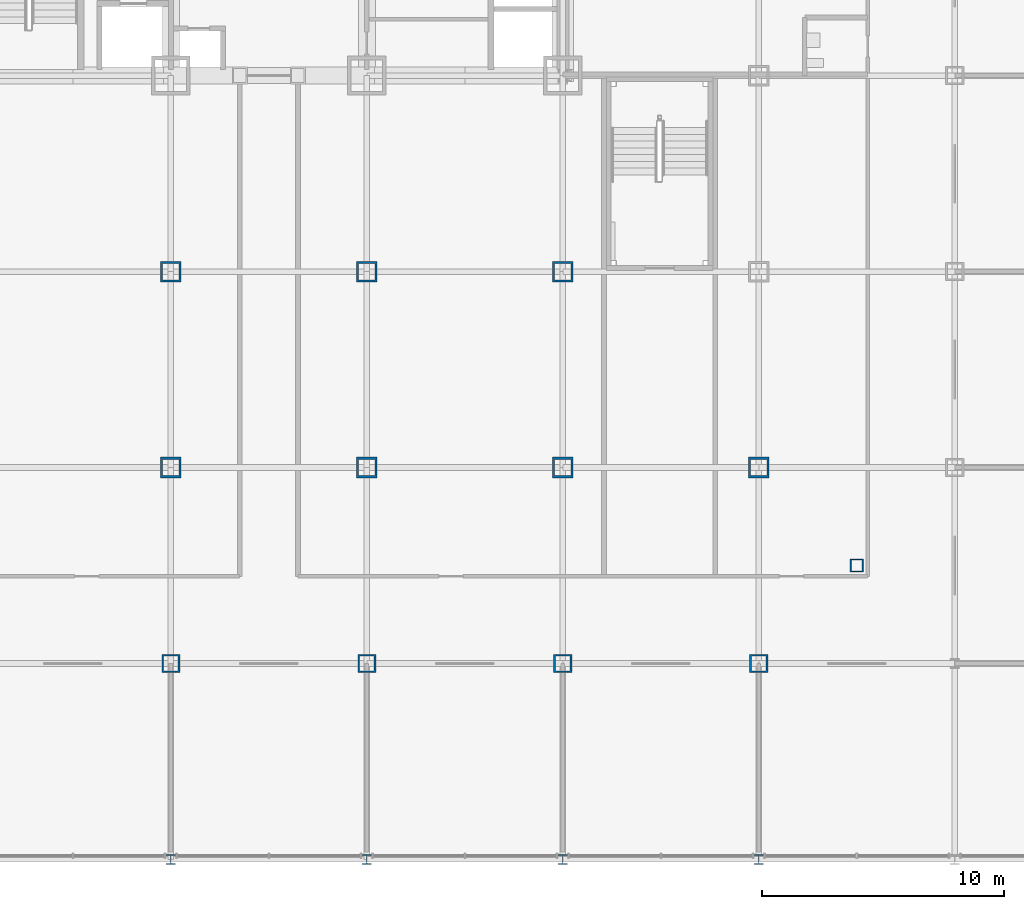
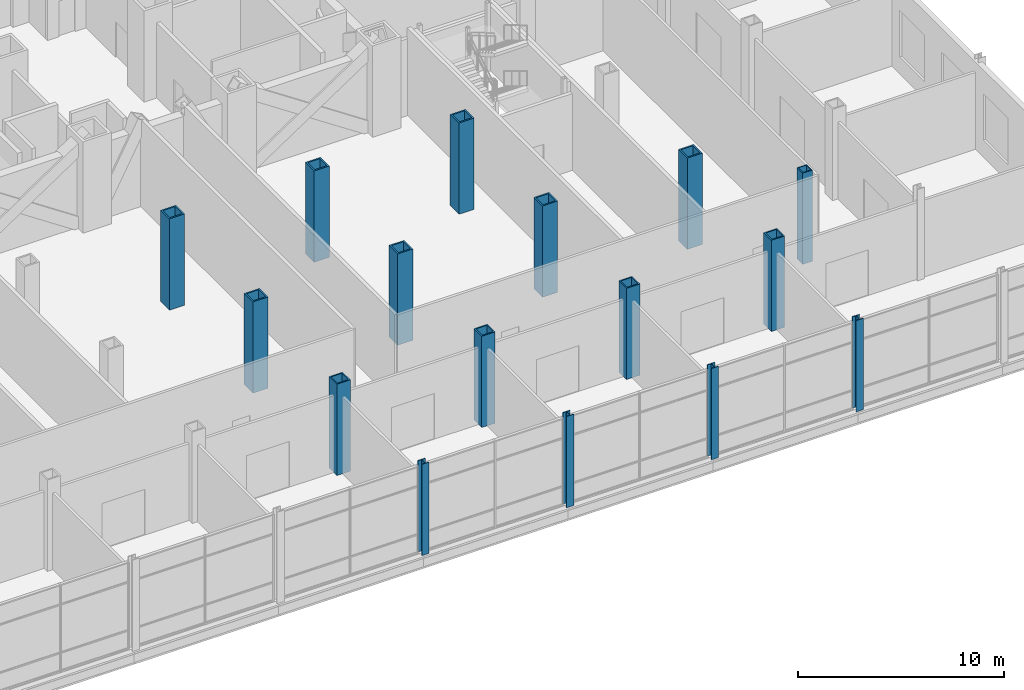
# One storey, part 3 of 30: 16 columns.
"""IFC4 building model written with IfcOpenShell, lengths in metres."""

from ifc_helpers import new_model, si_unit, direction, frame, origin, origin_2d, place, context, subcontext, project, spatial, hollow_rectangle, i_section, extrude, material, material_profile, profile_set, type_object, element, save


model = new_model("IFC4")

# Units and contexts
model_context = context("Model", 3, precision=1e-05, world=origin(), true_north=direction((0.0, 1.0)))
body_context = subcontext(model_context, "Body", "Model", "MODEL_VIEW")
ifc_project = project(units=[si_unit("LENGTHUNIT", "METRE"), si_unit("AREAUNIT", "SQUARE_METRE"), si_unit("VOLUMEUNIT", "CUBIC_METRE"), si_unit("PLANEANGLEUNIT", "RADIAN"), si_unit("MASSUNIT", "GRAM", prefix="KILO")], contexts=[model_context])

# Site, building, storey
site_placement = place(None, origin())
site = spatial("IfcSite", under=ifc_project, at=site_placement, CompositionType="ELEMENT")
building_placement = place(site_placement, origin())
building = spatial("IfcBuilding", under=site, at=building_placement, Name="Kopane Lantern Tower", CompositionType="ELEMENT")
storey_placement = place(building_placement, frame((0.0, 0.0, 6.0)))
storey = spatial("IfcBuildingStorey", under=building, at=storey_placement, Name="L01", CompositionType="ELEMENT", Elevation=6.0)

# Columns
ifc_material_1 = material(Name="Steel S355JR", Category="steel")
ifc_material_profile_1 = material_profile(ifc_material_1, hollow_rectangle(XDim=0.550048828125, YDim=0.550048828125, WallThickness=0.050048828125, at=origin_2d()), Name="BOX 550x550x50")
ifc_profile_set_1 = profile_set([ifc_material_profile_1], Name="Steel S355JR")
column_type_1 = type_object("IfcColumnType", Name="COLUMN BOX 550x550x50", PredefinedType="COLUMN", material=ifc_profile_set_1)
column_placement = place(storey_placement, frame((52.64990234375, 4.050048828125, 0.0), z_axis=(0.0, 0.0, 1.0), x_axis=(1.0, 0.0, 0.0)))
element("IfcColumn", 1, at=column_placement, inside=storey, type_object=column_type_1, Name="Column 52.65/4.05 L01", PredefinedType="COLUMN", context=body_context, shape_type="SweptSolid", body=[
    extrude(hollow_rectangle(XDim=0.550048828125, YDim=0.550048828125, WallThickness=0.050048828125, at=origin_2d()), origin(), (0.0, 0.0, 1.0), 5.39990234375),
])
ifc_material_2 = material(Name="Steel S355JR", Category="steel")
ifc_material_profile_2 = material_profile(ifc_material_2, hollow_rectangle(XDim=0.75, YDim=0.75, WallThickness=0.070068359375, at=origin_2d()), Name="BOX 750x750x70")
ifc_profile_set_2 = profile_set([ifc_material_profile_2], Name="Steel S355JR")
column_type_2 = type_object("IfcColumnType", Name="COLUMN BOX 750x750x70", PredefinedType="COLUMN", material=ifc_profile_set_2)
for number, where, z_axis, x_axis, name in (
    (2, (24.300048828125, 0.0, 0.0), (0.0, 0.0, 1.0), (1.0, 0.0, 0.0), "Column 5/B L01"),
    (3, (32.39990234375, 0.0, 0.0), (0.0, 0.0, 1.0), (1.0, 0.0, 0.0), "Column 6/B L01"),
    (4, (40.5, 0.0, 0.0), (0.0, 0.0, 1.0), (1.0, 0.0, 0.0), "Column 7/B L01"),
    (5, (48.60009765625, 0.0, 0.0), (0.0, 0.0, 1.0), (1.0, 0.0, 0.0), "Column 8/B L01"),
):
    element("IfcColumn", number, at=place(storey_placement, frame(where, z_axis=z_axis, x_axis=x_axis)), inside=storey, type_object=column_type_2, Name=name, PredefinedType="COLUMN", context=body_context, shape_type="SweptSolid", body=[
        extrude(hollow_rectangle(XDim=0.75, YDim=0.75, WallThickness=0.070068359375, at=origin_2d()), origin(), (0.0, 0.0, 1.0), 5.39990234375),
    ])
ifc_material_3 = material(Name="Steel S355JR", Category="steel")
ifc_material_profile_3 = material_profile(ifc_material_3, hollow_rectangle(XDim=0.85009765625, YDim=0.85009765625, WallThickness=0.0849609375, at=origin_2d()), Name="BOX 850x850x85")
ifc_profile_set_3 = profile_set([ifc_material_profile_3], Name="Steel S355JR")
column_type_3 = type_object("IfcColumnType", Name="COLUMN BOX 850x850x85", PredefinedType="COLUMN", material=ifc_profile_set_3)
for number, where, z_axis, x_axis, name in (
    (6, (24.300048828125, 8.10009765625, 0.0), (0.0, 0.0, 1.0), (1.0, 0.0, 0.0), "Column 5/C L01"),
    (7, (24.300048828125, 16.199951171875, 0.0), (0.0, 0.0, 1.0), (1.0, 0.0, 0.0), "Column 5/D L01"),
    (8, (32.39990234375, 8.10009765625, 0.0), (0.0, 0.0, 1.0), (1.0, 0.0, 0.0), "Column 6/C L01"),
    (9, (32.39990234375, 16.199951171875, 0.0), (0.0, 0.0, 1.0), (1.0, 0.0, 0.0), "Column 6/D L01"),
    (10, (40.5, 8.10009765625, 0.0), (0.0, 0.0, 1.0), (1.0, 0.0, 0.0), "Column 7/C L01"),
    (11, (40.5, 16.199951171875, 0.0), (0.0, 0.0, 1.0), (1.0, 0.0, 0.0), "Column 7/D L01"),
    (12, (48.60009765625, 8.10009765625, 0.0), (0.0, 0.0, 1.0), (1.0, 0.0, 0.0), "Column 8/C L01"),
):
    element("IfcColumn", number, at=place(storey_placement, frame(where, z_axis=z_axis, x_axis=x_axis)), inside=storey, type_object=column_type_3, Name=name, PredefinedType="COLUMN", context=body_context, shape_type="SweptSolid", body=[
        extrude(hollow_rectangle(XDim=0.85009765625, YDim=0.85009765625, WallThickness=0.0849609375, at=origin_2d()), origin(), (0.0, 0.0, 1.0), 5.39990234375),
    ])
ifc_material_4 = material(Name="Steel S355JR", Category="steel")
ifc_material_profile_4 = material_profile(ifc_material_4, i_section(OverallWidth=0.403076171875, OverallDepth=0.406494140625, WebThickness=0.026611328125, FlangeThickness=0.04296875, FilletRadius=0.01513671875, at=origin_2d()), Name="UC 356x406x340")
ifc_profile_set_4 = profile_set([ifc_material_profile_4], Name="Steel S355JR")
column_type_4 = type_object("IfcColumnType", Name="COLUMN UC 356x406x340", PredefinedType="COLUMN", material=ifc_profile_set_4)
for number, where, z_axis, x_axis, name in (
    (13, (24.300048828125, -8.10009765625, 0.0), (0.0, 0.0, 1.0), (1.0, 0.0, 0.0), "Column 5/A L01"),
    (14, (32.39990234375, -8.10009765625, 0.0), (0.0, 0.0, 1.0), (1.0, 0.0, 0.0), "Column 6/A L01"),
    (15, (40.5, -8.10009765625, 0.0), (0.0, 0.0, 1.0), (1.0, 0.0, 0.0), "Column 7/A L01"),
    (16, (48.60009765625, -8.10009765625, 0.0), (0.0, 0.0, 1.0), (1.0, 0.0, 0.0), "Column 8/A L01"),
):
    element("IfcColumn", number, at=place(storey_placement, frame(where, z_axis=z_axis, x_axis=x_axis)), inside=storey, type_object=column_type_4, Name=name, PredefinedType="COLUMN", context=body_context, shape_type="SweptSolid", body=[
        extrude(i_section(OverallWidth=0.403076171875, OverallDepth=0.406494140625, WebThickness=0.026611328125, FlangeThickness=0.04296875, FilletRadius=0.01513671875, at=origin_2d()), origin(), (0.0, 0.0, 1.0), 5.39990234375),
    ])

save(model, "model.ifc")
